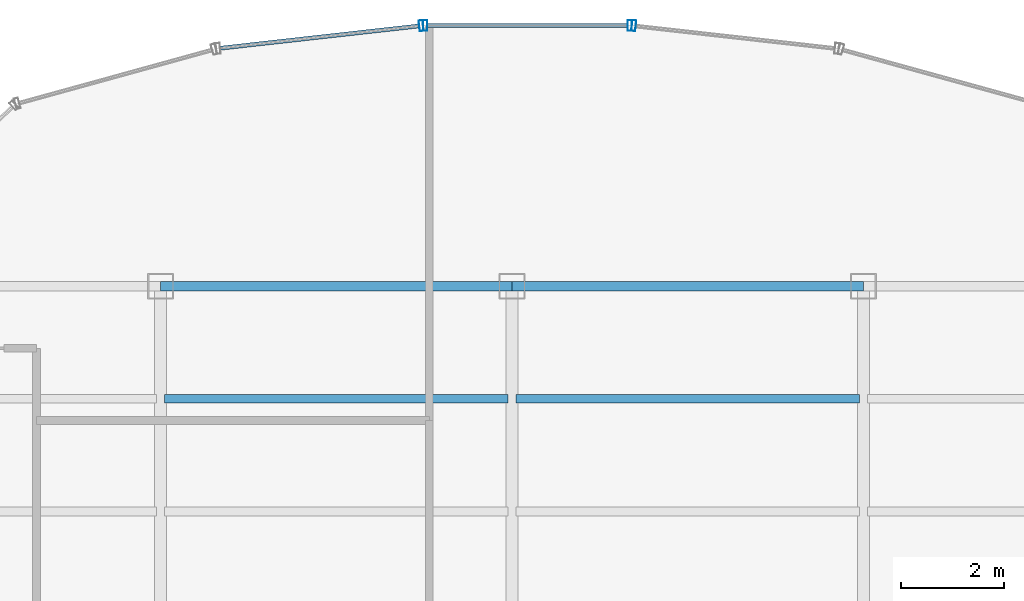
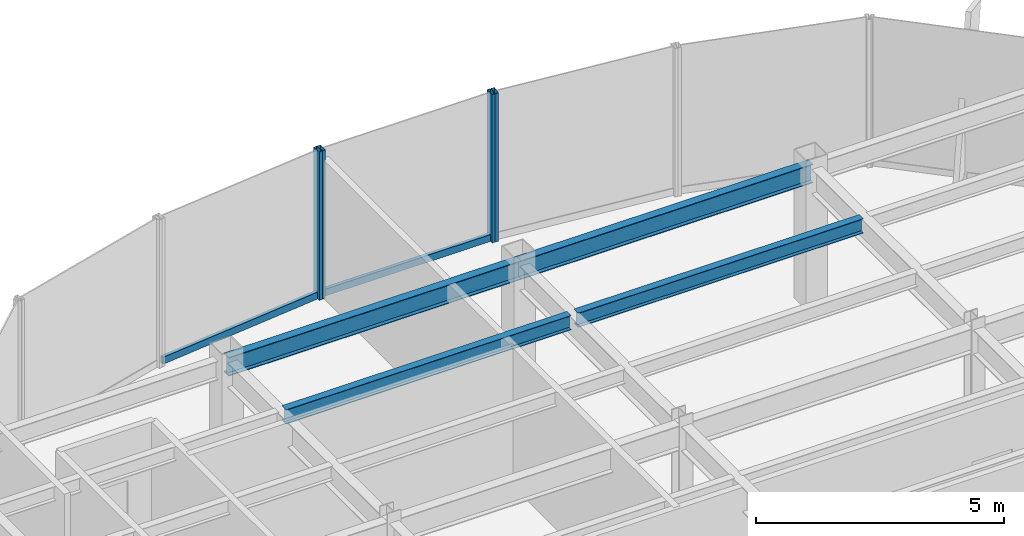
# One storey, part 13 of 22: 6 members, 4 beams, 3 elements without a shape of their own.
"""IFC4 building model written with IfcOpenShell, lengths in metres."""

from ifc_helpers import new_model, si_unit, derived_unit, direction, frame, origin, origin_2d, place, context, subcontext, project, spatial, hollow_rectangle, i_section, extrude, source, transform, mapped, material, material_profile, profile_set, type_object, element, aggregate, save


model = new_model("IFC4")

# Units and contexts
model_context = context("Model", 3, precision=1e-05, world=origin(), true_north=direction((0.0, 1.0)))
body_context = subcontext(model_context, "Body", "Model", "MODEL_VIEW")
ifc_project = project(units=[si_unit("LENGTHUNIT", "METRE"), si_unit("AREAUNIT", "SQUARE_METRE"), si_unit("VOLUMEUNIT", "CUBIC_METRE"), si_unit("PLANEANGLEUNIT", "RADIAN"), si_unit("MASSUNIT", "GRAM", prefix="KILO"), derived_unit("THERMALTRANSMITTANCEUNIT", [(si_unit("POWERUNIT", "WATT"), 1), (si_unit("LENGTHUNIT", "METRE"), -2), (si_unit("THERMODYNAMICTEMPERATUREUNIT", "KELVIN"), -1)])], contexts=[model_context])

# Site, building, storey
site_placement = place(None, origin())
site = spatial("IfcSite", under=ifc_project, at=site_placement, CompositionType="ELEMENT")
building_placement = place(site_placement, origin())
building = spatial("IfcBuilding", under=site, at=building_placement, Name="Skarnbrae Concourse Arena and Tower", CompositionType="ELEMENT")
storey_placement = place(building_placement, frame((0.0, 0.0, 210.5)))
storey = spatial("IfcBuildingStorey", under=building, at=storey_placement, Name="L54", CompositionType="ELEMENT", Elevation=210.5)

# Beams
ifc_material_1 = material(Name="Steel CSA G40.21 350W", Category="steel")
ifc_material_profile_1 = material_profile(ifc_material_1, i_section(OverallWidth=0.19091796875, OverallDepth=0.4599609375, WebThickness=0.010009765625, FlangeThickness=0.01611328125, at=origin_2d()), Name="W460X82")
ifc_profile_set_1 = profile_set([ifc_material_profile_1], Name="Steel CSA G40.21 350W")
beam_type_1 = type_object("IfcBeamType", Name="BM-SPAN-W460X82", PredefinedType="SPANDREL", material=ifc_profile_set_1)
shared_shape_1 = source(origin(), body_context, "Body", "SweptSolid", [
    extrude(i_section(OverallWidth=0.19091796875, OverallDepth=0.4599609375, WebThickness=0.010009765625, FlangeThickness=0.01611328125, at=origin_2d()), origin(), (0.0, 0.0, 1.0), 6.800048828125),
])
for number, where, z_axis, x_axis, name in (
    (1, (14.39990234375, 34.39990234375, 3.169921875), (1.0, 0.0, 0.0), (0.0, 1.0, 0.0), "L54 Perimeter spandrel Y34.4-2"),
    (2, (21.199951171875, 34.39990234375, 3.169921875), (1.0, 0.0, 0.0), (0.0, 1.0, 0.0), "L54 Perimeter spandrel Y34.4-3"),
):
    element("IfcBeam", number, at=place(storey_placement, frame(where, z_axis=z_axis, x_axis=x_axis)), inside=storey, type_object=beam_type_1, Name=name, PredefinedType="SPANDREL", context=body_context, shape_type="MappedRepresentation", body=[
        mapped(shared_shape_1, transform((0.0, 0.0, 0.0))),
    ])
ifc_material_profile_2 = material_profile(ifc_material_1, i_section(OverallWidth=0.1708984375, OverallDepth=0.35498046875, WebThickness=0.007080078125, FlangeThickness=0.01171875, at=origin_2d()), Name="W360X51")
ifc_profile_set_2 = profile_set([ifc_material_profile_2], Name="Steel CSA G40.21 350W")
beam_type_2 = type_object("IfcBeamType", Name="BM-JOIST-W360X51", PredefinedType="JOIST", material=ifc_profile_set_2)
shared_shape_2 = source(origin(), body_context, "Body", "SweptSolid", [
    extrude(i_section(OverallWidth=0.1708984375, OverallDepth=0.35498046875, WebThickness=0.007080078125, FlangeThickness=0.01171875, at=origin_2d()), origin(), (0.0, 0.0, 1.0), 6.64013671875),
])
beam_1_placement = place(storey_placement, frame((14.47998046875, 32.221923828125, 3.222412109375), z_axis=(1.0, 0.0, 0.0), x_axis=(0.0, 1.0, 0.0)))
element("IfcBeam", 3, at=beam_1_placement, inside=storey, type_object=beam_type_2, Name="L54 Secondary floor joist 3.2.2", PredefinedType="JOIST", context=body_context, shape_type="MappedRepresentation", body=[
    mapped(shared_shape_2, transform((0.0, 0.0, 0.0))),
])
shared_shape_3 = source(origin(), body_context, "Body", "SweptSolid", [
    extrude(i_section(OverallWidth=0.1708984375, OverallDepth=0.35498046875, WebThickness=0.007080078125, FlangeThickness=0.01171875, at=origin_2d()), origin(), (0.0, 0.0, 1.0), 6.639892578125),
])
beam_2_placement = place(storey_placement, frame((21.280029296875, 32.221923828125, 3.222412109375), z_axis=(1.0, 0.0, 0.0), x_axis=(0.0, 1.0, 0.0)))
element("IfcBeam", 4, at=beam_2_placement, inside=storey, type_object=beam_type_2, Name="L54 Secondary floor joist 3.2.3", PredefinedType="JOIST", context=body_context, shape_type="MappedRepresentation", body=[
    mapped(shared_shape_3, transform((0.0, 0.0, 0.0))),
])

# Curtain wall, member
ifc_material_2 = material(Name="Bronze anodised aluminium 6063-T6", Category="aluminium")
curtain_wall_type = type_object("IfcCurtainWallType", Name="CW-SYS-03-PORTAL", PredefinedType="USERDEFINED", material=ifc_material_2)
curtain_wall_1_placement = place(storey_placement, origin())
curtain_wall_1 = element("IfcCurtainWall", 5, at=curtain_wall_1_placement, inside=storey, type_object=curtain_wall_type, Name="L54 Unitised curtain wall CW-L54-E10", ObjectType="UNITISED CURTAIN WALL", PredefinedType="USERDEFINED")
ifc_material_profile_3 = material_profile(ifc_material_2, hollow_rectangle(XDim=0.080078125, YDim=0.2099609375, WallThickness=0.00439453125, at=origin_2d()), Name="ALU-MULL-80X210")
ifc_profile_set_3 = profile_set([ifc_material_profile_3], Name="Bronze anodised aluminium 6063-T6")
member_type_1 = type_object("IfcMemberType", Name="CWM-CW-03", PredefinedType="MULLION", material=ifc_profile_set_3)
shared_shape_4 = source(origin(), body_context, "Body", "SweptSolid", [
    extrude(hollow_rectangle(XDim=0.080078125, YDim=0.2099609375, WallThickness=0.00439453125, at=origin_2d()), origin(), (0.0, 0.0, 1.0), 3.64990234375),
])
member_1_placement = place(storey_placement, frame((23.556884765625, 39.442138671875, 0.0), z_axis=(0.0, 0.0, 1.0), x_axis=(-0.993768891873, 0.111460259941, 0.0)))
member_1 = element("IfcMember", 6, at=member_1_placement, type_object=member_type_1, Name="CW-L54-E10 Mullion 2", PredefinedType="MULLION", context=body_context, shape_type="MappedRepresentation", body=[
    mapped(shared_shape_4, transform((0.0, 0.0, 0.0))),
])
aggregate(curtain_wall_1, [member_1])

# Curtain wall, members
curtain_wall_2_placement = place(storey_placement, origin())
curtain_wall_2 = element("IfcCurtainWall", 7, at=curtain_wall_2_placement, inside=storey, type_object=curtain_wall_type, Name="L54 Unitised curtain wall CW-L54-E11", ObjectType="UNITISED CURTAIN WALL", PredefinedType="USERDEFINED")
member_2_placement = place(storey_placement, frame((23.477294921875, 39.44677734375, 0.0), z_axis=(0.0, 0.0, 1.0), x_axis=(-1.0, 0.0, 0.0)))
member_2 = element("IfcMember", 8, at=member_2_placement, type_object=member_type_1, Name="CW-L54-E11 Mullion 1", PredefinedType="MULLION", context=body_context, shape_type="MappedRepresentation", body=[
    mapped(shared_shape_4, transform((0.0, 0.0, 0.0))),
])
member_3_placement = place(storey_placement, frame((19.522705078125, 39.44677734375, 0.0), z_axis=(0.0, 0.0, 1.0), x_axis=(-1.0, 0.0, 0.0)))
member_3 = element("IfcMember", 9, at=member_3_placement, type_object=member_type_1, Name="CW-L54-E11 Mullion 2", PredefinedType="MULLION", context=body_context, shape_type="MappedRepresentation", body=[
    mapped(shared_shape_4, transform((0.0, 0.0, 0.0))),
])

curtain_wall_3_placement = place(storey_placement, origin())
curtain_wall_3 = element("IfcCurtainWall", 10, at=curtain_wall_3_placement, inside=storey, type_object=curtain_wall_type, Name="L54 Unitised curtain wall CW-L54-E12", ObjectType="UNITISED CURTAIN WALL", PredefinedType="USERDEFINED")
member_4_placement = place(storey_placement, frame((19.443115234375, 39.442138671875, 0.0), z_axis=(0.0, 0.0, 1.0), x_axis=(-0.993768891873, -0.111460259941, 0.0)))
member_4 = element("IfcMember", 11, at=member_4_placement, type_object=member_type_1, Name="CW-L54-E12 Mullion 1", PredefinedType="MULLION", context=body_context, shape_type="MappedRepresentation", body=[
    mapped(shared_shape_4, transform((0.0, 0.0, 0.0))),
])
ifc_material_profile_4 = material_profile(ifc_material_2, hollow_rectangle(XDim=0.080078125, YDim=0.169921875, WallThickness=0.00439453125, at=origin_2d()), Name="ALU-TRAN-80X170")
ifc_profile_set_4 = profile_set([ifc_material_profile_4], Name="Bronze anodised aluminium 6063-T6")
member_type_2 = type_object("IfcMemberType", Name="CWT-CW-03", PredefinedType="USERDEFINED", material=ifc_profile_set_4)
shared_shape_5 = source(origin(), body_context, "Body", "SweptSolid", [
    extrude(hollow_rectangle(XDim=0.080078125, YDim=0.169921875, WallThickness=0.00439453125, at=origin_2d()), origin(), (0.0, 0.0, 1.0), 3.873779296875),
])
member_5_placement = place(storey_placement, frame((19.4033203125, 39.437744140625, 0.0849609375), z_axis=(-0.993772558096, -0.111427567397, 0.0), x_axis=(0.111427567397, -0.993772558096, 0.0)))
member_5 = element("IfcMember", 12, at=member_5_placement, type_object=member_type_2, Name="CW-L54-E12 Transom 1", ObjectType="TRANSOM", PredefinedType="USERDEFINED", context=body_context, shape_type="MappedRepresentation", body=[
    mapped(shared_shape_5, transform((0.0, 0.0, 0.0))),
])
aggregate(curtain_wall_3, [member_4, member_5])

# Member
shared_shape_6 = source(origin(), body_context, "Body", "SweptSolid", [
    extrude(hollow_rectangle(XDim=0.080078125, YDim=0.169921875, WallThickness=0.00439453125, at=origin_2d()), origin(), (0.0, 0.0, 1.0), 3.87451171875),
])
member_6_placement = place(storey_placement, frame((23.437255859375, 39.44677734375, 0.0849609375), z_axis=(-1.0, 0.0, 0.0), x_axis=(0.0, -1.0, 0.0)))
member_6 = element("IfcMember", 13, at=member_6_placement, type_object=member_type_2, Name="CW-L54-E11 Transom 1", ObjectType="TRANSOM", PredefinedType="USERDEFINED", context=body_context, shape_type="MappedRepresentation", body=[
    mapped(shared_shape_6, transform((0.0, 0.0, 0.0))),
])

aggregate(curtain_wall_2, [member_2, member_3, member_6])

save(model, "model.ifc")
